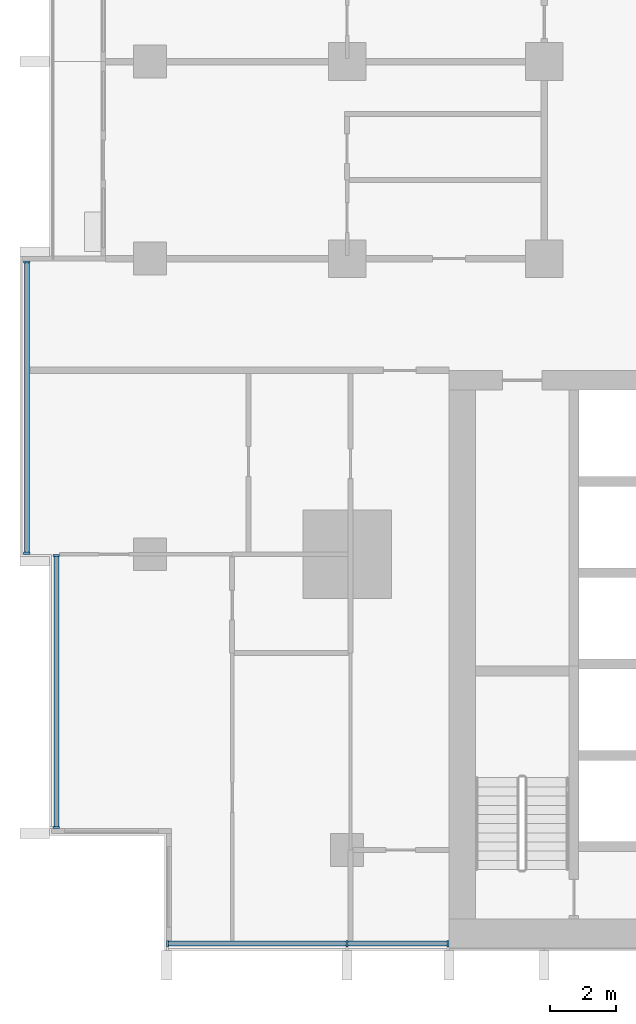
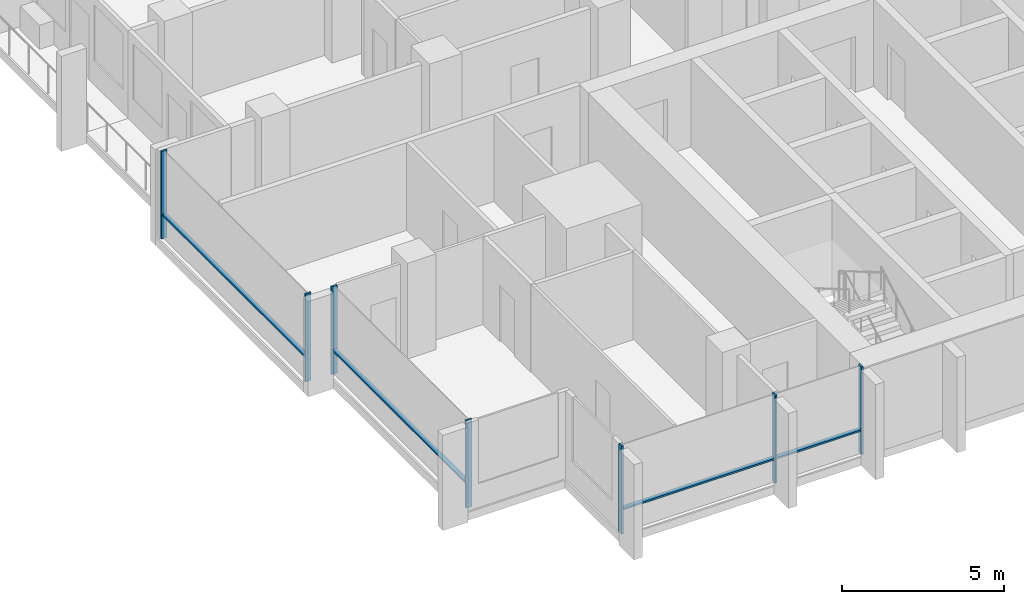
# One storey, part 2 of 17: 11 members, 3 elements without a shape of their own.
"""IFC4 building model written with IfcOpenShell, lengths in metres."""

from ifc_helpers import new_model, si_unit, direction, frame, origin, origin_2d, place, context, subcontext, project, spatial, rectangle, extrude, material, material_profile, profile_set, type_object, element, aggregate, save


model = new_model("IFC4")

# Units and contexts
model_context = context("Model", 3, precision=1e-05, world=origin(), true_north=direction((0.0, 1.0)))
body_context = subcontext(model_context, "Body", "Model", "MODEL_VIEW")
ifc_project = project(units=[si_unit("LENGTHUNIT", "METRE"), si_unit("AREAUNIT", "SQUARE_METRE"), si_unit("VOLUMEUNIT", "CUBIC_METRE"), si_unit("PLANEANGLEUNIT", "RADIAN"), si_unit("MASSUNIT", "GRAM", prefix="KILO")], contexts=[model_context])

# Site, building, storey
site_placement = place(None, origin())
site = spatial("IfcSite", under=ifc_project, at=site_placement, CompositionType="ELEMENT")
building_placement = place(site_placement, origin())
building = spatial("IfcBuilding", under=site, at=building_placement, Name="Finial Court Residences", CompositionType="ELEMENT")
storey_placement = place(building_placement, frame((0.0, 0.0, 117.10009765625)))
storey = spatial("IfcBuildingStorey", under=building, at=storey_placement, Name="L29", CompositionType="ELEMENT", Elevation=117.10009765625)

# Curtain wall, members
ifc_material = material(Name="Bronze anodised aluminium", Category="aluminium")
curtain_wall_type = type_object("IfcCurtainWallType", Name="Unitised curtain wall, lower and middle zones", PredefinedType="NOTDEFINED", material=ifc_material)
curtain_wall_1_placement = place(storey_placement, origin())
curtain_wall_1 = element("IfcCurtainWall", 1, at=curtain_wall_1_placement, inside=storey, type_object=curtain_wall_type, Name="E-L29-CW-S9", PredefinedType="NOTDEFINED")
ifc_material_profile_1 = material_profile(ifc_material, rectangle(XDim=0.199951171875, YDim=0.06494140625, at=origin_2d()), Name="CW1 mullion 65 x 200")
ifc_profile_set_1 = profile_set([ifc_material_profile_1], Name="Bronze anodised aluminium")
member_type_1 = type_object("IfcMemberType", Name="CW1 mullion 65 x 200", PredefinedType="MULLION", material=ifc_profile_set_1)
member_1_placement = place(storey_placement, frame((-21.967529296875, -25.35009765625, 0.0), z_axis=(0.0, 0.0, 1.0), x_axis=(0.0, 1.0, 0.0)))
member_1 = element("IfcMember", 2, at=member_1_placement, type_object=member_type_1, Name="CW1 mullion 1", PredefinedType="MULLION", context=body_context, shape_type="SweptSolid", body=[
    extrude(rectangle(XDim=0.199951171875, YDim=0.06494140625, at=origin_2d()), origin(), (0.0, 0.0, 1.0), 3.2998046875),
])
member_2_placement = place(storey_placement, frame((-16.5, -25.35009765625, 0.0), z_axis=(0.0, 0.0, 1.0), x_axis=(0.0, 1.0, 0.0)))
member_2 = element("IfcMember", 3, at=member_2_placement, type_object=member_type_1, Name="CW1 mullion 2", PredefinedType="MULLION", context=body_context, shape_type="SweptSolid", body=[
    extrude(rectangle(XDim=0.199951171875, YDim=0.06494140625, at=origin_2d()), origin(), (0.0, 0.0, 1.0), 3.2998046875),
])
member_3_placement = place(storey_placement, frame((-13.4326171875, -25.35009765625, 0.0), z_axis=(0.0, 0.0, 1.0), x_axis=(0.0, 1.0, 0.0)))
member_3 = element("IfcMember", 4, at=member_3_placement, type_object=member_type_1, Name="CW1 mullion 3", PredefinedType="MULLION", context=body_context, shape_type="SweptSolid", body=[
    extrude(rectangle(XDim=0.199951171875, YDim=0.06494140625, at=origin_2d()), origin(), (0.0, 0.0, 1.0), 3.2998046875),
])

curtain_wall_2_placement = place(storey_placement, origin())
curtain_wall_2 = element("IfcCurtainWall", 5, at=curtain_wall_2_placement, inside=storey, type_object=curtain_wall_type, Name="E-L29-CW-W11", PredefinedType="NOTDEFINED")
member_4_placement = place(storey_placement, frame((-25.35009765625, -21.8173828125, 0.0), z_axis=(0.0, 0.0, 1.0), x_axis=(-1.0, 0.0, 0.0)))
member_4 = element("IfcMember", 6, at=member_4_placement, type_object=member_type_1, Name="CW1 mullion 1", PredefinedType="MULLION", context=body_context, shape_type="SweptSolid", body=[
    extrude(rectangle(XDim=0.199951171875, YDim=0.06494140625, at=origin_2d()), origin(), (0.0, 0.0, 1.0), 3.2998046875),
])
member_5_placement = place(storey_placement, frame((-25.35009765625, -13.532470703125, 0.0), z_axis=(0.0, 0.0, 1.0), x_axis=(-1.0, 0.0, 0.0)))
member_5 = element("IfcMember", 7, at=member_5_placement, type_object=member_type_1, Name="CW1 mullion 2", PredefinedType="MULLION", context=body_context, shape_type="SweptSolid", body=[
    extrude(rectangle(XDim=0.199951171875, YDim=0.06494140625, at=origin_2d()), origin(), (0.0, 0.0, 1.0), 3.2998046875),
])

curtain_wall_3_placement = place(storey_placement, origin())
curtain_wall_3 = element("IfcCurtainWall", 8, at=curtain_wall_3_placement, inside=storey, type_object=curtain_wall_type, Name="E-L29-CW-W12", PredefinedType="NOTDEFINED")
member_6_placement = place(storey_placement, frame((-26.25, -13.467529296875, 0.0), z_axis=(0.0, 0.0, 1.0), x_axis=(-1.0, 0.0, 0.0)))
member_6 = element("IfcMember", 9, at=member_6_placement, type_object=member_type_1, Name="CW1 mullion 1", PredefinedType="MULLION", context=body_context, shape_type="SweptSolid", body=[
    extrude(rectangle(XDim=0.199951171875, YDim=0.06494140625, at=origin_2d()), origin(), (0.0, 0.0, 1.0), 3.2998046875),
])
member_7_placement = place(storey_placement, frame((-26.25, -4.607421875, 0.0), z_axis=(0.0, 0.0, 1.0), x_axis=(-1.0, 0.0, 0.0)))
member_7 = element("IfcMember", 10, at=member_7_placement, type_object=member_type_1, Name="CW1 mullion 2", PredefinedType="MULLION", context=body_context, shape_type="SweptSolid", body=[
    extrude(rectangle(XDim=0.199951171875, YDim=0.06494140625, at=origin_2d()), origin(), (0.0, 0.0, 1.0), 3.2998046875),
])

# Member
ifc_material_profile_2 = material_profile(ifc_material, rectangle(XDim=0.14990234375, YDim=0.06494140625, at=origin_2d()), Name="CW1 transom 65 x 150")
ifc_profile_set_2 = profile_set([ifc_material_profile_2], Name="Bronze anodised aluminium")
member_type_2 = type_object("IfcMemberType", Name="CW1 transom 65 x 150", PredefinedType="USERDEFINED", material=ifc_profile_set_2)
member_8_placement = place(storey_placement, frame((-21.93505859375, -25.35009765625, 0.89990234375), z_axis=(1.0, 0.0, 0.0), x_axis=(0.0, 1.0, 0.0)))
member_8 = element("IfcMember", 11, at=member_8_placement, type_object=member_type_2, Name="CW1 transom 1.1", ObjectType="TRANSOM", PredefinedType="USERDEFINED", context=body_context, shape_type="SweptSolid", body=[
    extrude(rectangle(XDim=0.14990234375, YDim=0.06494140625, at=origin_2d()), origin(), (0.0, 0.0, 1.0), 5.402587890625),
])

member_9_placement = place(storey_placement, frame((-16.467529296875, -25.35009765625, 0.89990234375), z_axis=(1.0, 0.0, 0.0), x_axis=(0.0, 1.0, 0.0)))
member_9 = element("IfcMember", 12, at=member_9_placement, type_object=member_type_2, Name="CW1 transom 2.1", ObjectType="TRANSOM", PredefinedType="USERDEFINED", context=body_context, shape_type="SweptSolid", body=[
    extrude(rectangle(XDim=0.14990234375, YDim=0.06494140625, at=origin_2d()), origin(), (0.0, 0.0, 1.0), 3.00244140625),
])

aggregate(curtain_wall_1, [member_1, member_2, member_3, member_8, member_9])

member_10_placement = place(storey_placement, frame((-25.35009765625, -21.784912109375, 0.89990234375), z_axis=(0.0, 1.0, 0.0), x_axis=(-1.0, 0.0, 0.0)))
member_10 = element("IfcMember", 13, at=member_10_placement, type_object=member_type_2, Name="CW1 transom 1.1", ObjectType="TRANSOM", PredefinedType="USERDEFINED", context=body_context, shape_type="SweptSolid", body=[
    extrude(rectangle(XDim=0.14990234375, YDim=0.06494140625, at=origin_2d()), origin(), (0.0, 0.0, 1.0), 8.219970703125),
])

aggregate(curtain_wall_2, [member_4, member_5, member_10])

member_11_placement = place(storey_placement, frame((-26.25, -13.43505859375, 0.89990234375), z_axis=(0.0, 1.0, 0.0), x_axis=(-1.0, 0.0, 0.0)))
member_11 = element("IfcMember", 14, at=member_11_placement, type_object=member_type_2, Name="CW1 transom 1.1", ObjectType="TRANSOM", PredefinedType="USERDEFINED", context=body_context, shape_type="SweptSolid", body=[
    extrude(rectangle(XDim=0.14990234375, YDim=0.06494140625, at=origin_2d()), origin(), (0.0, 0.0, 1.0), 8.795166015625),
])

aggregate(curtain_wall_3, [member_6, member_7, member_11])

save(model, "model.ifc")
